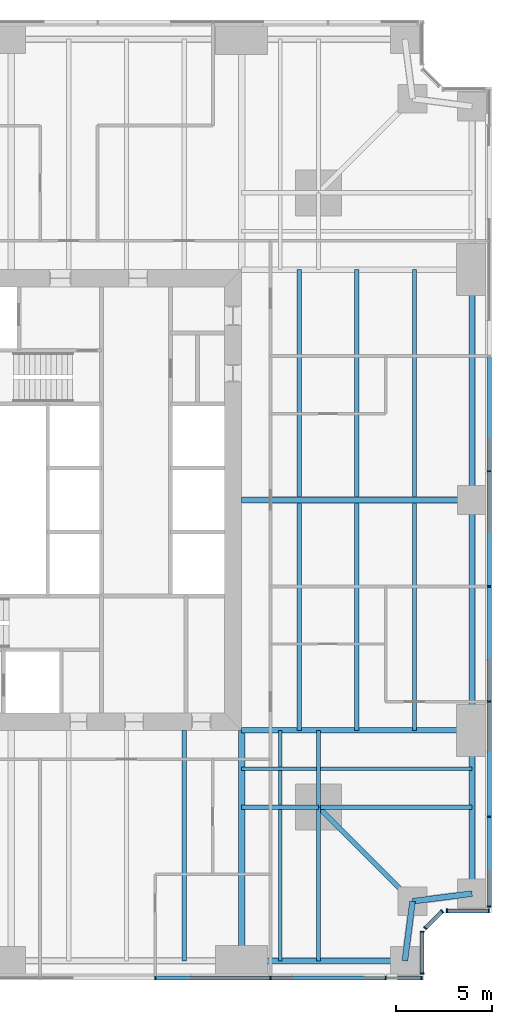
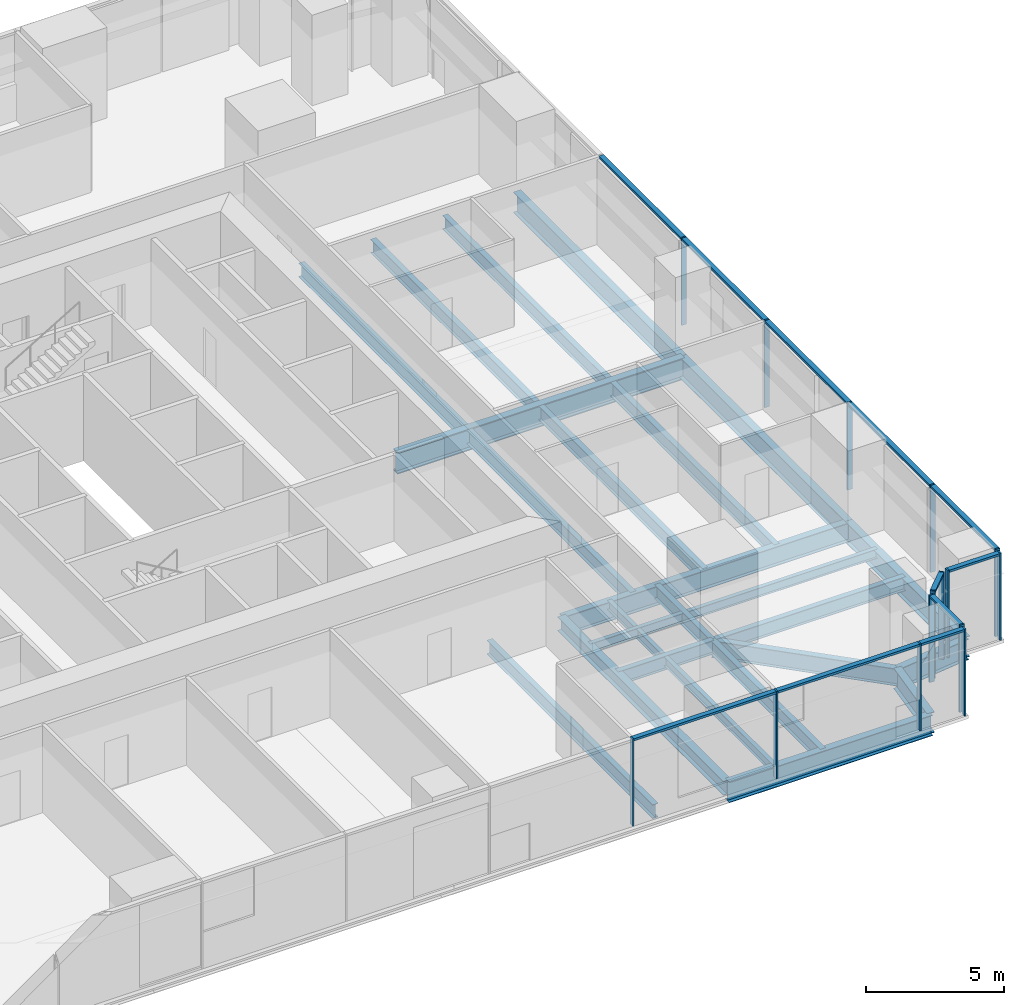
# One storey, part 5 of 14: 26 beams, 26 members, 5 elements without a shape of their own.
"""IFC4 building model written with IfcOpenShell, lengths in metres."""

from ifc_helpers import new_model, si_unit, direction, frame, origin, origin_2d, place, context, subcontext, project, spatial, rectangle, i_section, extrude, material, material_profile, profile_set, type_object, element, aggregate, save


model = new_model("IFC4")

# Units and contexts
model_context = context("Model", 3, precision=1e-05, world=origin(), true_north=direction((0.0, 1.0)))
body_context = subcontext(model_context, "Body", "Model", "MODEL_VIEW")
ifc_project = project(units=[si_unit("LENGTHUNIT", "METRE"), si_unit("AREAUNIT", "SQUARE_METRE"), si_unit("VOLUMEUNIT", "CUBIC_METRE"), si_unit("PLANEANGLEUNIT", "RADIAN"), si_unit("MASSUNIT", "GRAM", prefix="KILO")], contexts=[model_context])

# Site, building, storey
site_placement = place(None, origin())
site = spatial("IfcSite", under=ifc_project, at=site_placement, CompositionType="ELEMENT")
building_placement = place(site_placement, origin())
building = spatial("IfcBuilding", under=site, at=building_placement, Name="Fenwick Lantern Interchange", CompositionType="ELEMENT")
storey_placement = place(building_placement, frame((0.0, 0.0, 59.0)))
storey = spatial("IfcBuildingStorey", under=building, at=storey_placement, Name="L13", CompositionType="ELEMENT", Elevation=59.0)

# Beams
ifc_material_1 = material(Name="Steel ASTM A992 Grade 50", Category="steel")
ifc_material_profile_1 = material_profile(ifc_material_1, i_section(OverallWidth=0.3046875, OverallDepth=0.911865234375, WebThickness=0.015869140625, FlangeThickness=0.02392578125, at=origin_2d()), Name="W36X150")
ifc_profile_set_1 = profile_set([ifc_material_profile_1], Name="Steel ASTM A992 Grade 50")
beam_type_1 = type_object("IfcBeamType", Name="EDGE BEAM W36X150", PredefinedType="SPANDREL", material=ifc_profile_set_1)
beam_1_placement = place(storey_placement, frame((37.0, 1.0, -0.60595703125), z_axis=(1.0, 0.0, 0.0), x_axis=(0.0, 1.0, 0.0)))
element("IfcBeam", 1, at=beam_1_placement, inside=storey, type_object=beam_type_1, Name="L13/FR/S/EB4", PredefinedType="SPANDREL", context=body_context, shape_type="SweptSolid", body=[
    extrude(i_section(OverallWidth=0.3046875, OverallDepth=0.911865234375, WebThickness=0.015869140625, FlangeThickness=0.02392578125, at=origin_2d()), origin(), (0.0, 0.0, 1.0), 8.5),
])
for number, where, z_axis, x_axis, name in (
    (2, (45.5, 1.0, -0.60595703125), (0.127936641807, 0.991782342897, 0.0), (-0.991782342897, 0.127936641807, 0.0), "L13/FR/S/EBR1"),
    (3, (45.89990234375, 4.10009765625, -0.60595703125), (0.991782342897, 0.127936641807, 0.0), (-0.127936641807, 0.991782342897, 0.0), "L13/FR/S/EBR2"),
):
    element("IfcBeam", number, at=place(storey_placement, frame(where, z_axis=z_axis, x_axis=x_axis)), inside=storey, type_object=beam_type_1, Name=name, PredefinedType="SPANDREL", context=body_context, shape_type="SweptSolid", body=[
        extrude(i_section(OverallWidth=0.3046875, OverallDepth=0.911865234375, WebThickness=0.015869140625, FlangeThickness=0.02392578125, at=origin_2d()), origin(), (0.0, 0.0, 1.0), 3.125732421875),
    ])
beam_2_placement = place(storey_placement, frame((49.0, 4.5, -0.60595703125), z_axis=(0.0, 1.0, 0.0), x_axis=(-1.0, 0.0, 0.0)))
element("IfcBeam", 4, at=beam_2_placement, inside=storey, type_object=beam_type_1, Name="L13/FR/E/EB1", PredefinedType="SPANDREL", context=body_context, shape_type="SweptSolid", body=[
    extrude(i_section(OverallWidth=0.3046875, OverallDepth=0.911865234375, WebThickness=0.015869140625, FlangeThickness=0.02392578125, at=origin_2d()), origin(), (0.0, 0.0, 1.0), 8.5),
])
for number, where, z_axis, x_axis, name in (
    (5, (49.0, 13.0, -0.60595703125), (0.0, 1.0, 0.0), (-1.0, 0.0, 0.0), "L13/FR/E/EB2"),
    (6, (49.0, 25.0, -0.60595703125), (0.0, 1.0, 0.0), (-1.0, 0.0, 0.0), "L13/FR/E/EB3"),
):
    element("IfcBeam", number, at=place(storey_placement, frame(where, z_axis=z_axis, x_axis=x_axis)), inside=storey, type_object=beam_type_1, Name=name, PredefinedType="SPANDREL", context=body_context, shape_type="SweptSolid", body=[
        extrude(i_section(OverallWidth=0.3046875, OverallDepth=0.911865234375, WebThickness=0.015869140625, FlangeThickness=0.02392578125, at=origin_2d()), origin(), (0.0, 0.0, 1.0), 12.0),
    ])
ifc_material_profile_2 = material_profile(ifc_material_1, i_section(OverallWidth=0.22900390625, OverallDepth=0.612060546875, WebThickness=0.011962890625, FlangeThickness=0.01953125, at=origin_2d()), Name="W24X84")
ifc_profile_set_2 = profile_set([ifc_material_profile_2], Name="Steel ASTM A992 Grade 50")
beam_type_2 = type_object("IfcBeamType", Name="FLOOR BEAM W24X84", PredefinedType="BEAM", material=ifc_profile_set_2)
beam_3_placement = place(storey_placement, frame((34.0, 1.0, -0.4560546875), z_axis=(0.0, 1.0, 0.0), x_axis=(-1.0, 0.0, 0.0)))
element("IfcBeam", 7, at=beam_3_placement, inside=storey, type_object=beam_type_2, Name="L13/FR/S/R08", PredefinedType="BEAM", context=body_context, shape_type="SweptSolid", body=[
    extrude(i_section(OverallWidth=0.22900390625, OverallDepth=0.612060546875, WebThickness=0.011962890625, FlangeThickness=0.01953125, at=origin_2d()), origin(), (0.0, 0.0, 1.0), 12.0),
])
for number, where, z_axis, x_axis, name in (
    (8, (46.0, 13.0, -0.4560546875), (0.0, 1.0, 0.0), (-1.0, 0.0, 0.0), "L13/FR/E/B01"),
    (9, (43.0, 13.0, -0.4560546875), (0.0, 1.0, 0.0), (-1.0, 0.0, 0.0), "L13/FR/E/B02"),
    (10, (40.0, 13.0, -0.4560546875), (0.0, 1.0, 0.0), (-1.0, 0.0, 0.0), "L13/FR/E/B03"),
    (11, (46.0, 25.155029296875, -0.4560546875), (0.0, 1.0, 0.0), (-1.0, 0.0, 0.0), "L13/FR/E/B04"),
    (12, (43.0, 25.155029296875, -0.4560546875), (0.0, 1.0, 0.0), (-1.0, 0.0, 0.0), "L13/FR/E/B05"),
    (13, (40.0, 25.155029296875, -0.4560546875), (0.0, 1.0, 0.0), (-1.0, 0.0, 0.0), "L13/FR/E/B06"),
):
    element("IfcBeam", number, at=place(storey_placement, frame(where, z_axis=z_axis, x_axis=x_axis)), inside=storey, type_object=beam_type_2, Name=name, PredefinedType="BEAM", context=body_context, shape_type="SweptSolid", body=[
        extrude(i_section(OverallWidth=0.22900390625, OverallDepth=0.612060546875, WebThickness=0.011962890625, FlangeThickness=0.01953125, at=origin_2d()), origin(), (0.0, 0.0, 1.0), 11.844970703125),
    ])
ifc_material_profile_3 = material_profile(ifc_material_1, i_section(OverallWidth=0.177734375, OverallDepth=0.406494140625, WebThickness=0.0078125, FlangeThickness=0.012939453125, at=origin_2d()), Name="W16X40")
ifc_profile_set_3 = profile_set([ifc_material_profile_3], Name="Steel ASTM A992 Grade 50")
beam_type_3 = type_object("IfcBeamType", Name="INFILL BEAM W16X40", PredefinedType="JOIST", material=ifc_profile_set_3)
beam_4_placement = place(storey_placement, frame((49.0, 11.0, -0.353271484375), z_axis=(-1.0, 0.0, 0.0), x_axis=(0.0, -1.0, 0.0)))
element("IfcBeam", 14, at=beam_4_placement, inside=storey, type_object=beam_type_3, Name="L13/FR/E/J1", PredefinedType="JOIST", context=body_context, shape_type="SweptSolid", body=[
    extrude(i_section(OverallWidth=0.177734375, OverallDepth=0.406494140625, WebThickness=0.0078125, FlangeThickness=0.012939453125, at=origin_2d()), origin(), (0.0, 0.0, 1.0), 7.885498046875),
])
beam_5_placement = place(storey_placement, frame((40.885498046875, 11.0, -0.353271484375), z_axis=(-1.0, 0.0, 0.0), x_axis=(0.0, -1.0, 0.0)))
element("IfcBeam", 15, at=beam_5_placement, inside=storey, type_object=beam_type_3, Name="L13/FR/E/J2", PredefinedType="JOIST", context=body_context, shape_type="SweptSolid", body=[
    extrude(i_section(OverallWidth=0.177734375, OverallDepth=0.406494140625, WebThickness=0.0078125, FlangeThickness=0.012939453125, at=origin_2d()), origin(), (0.0, 0.0, 1.0), 3.885498046875),
])
beam_6_placement = place(storey_placement, frame((39.0, 1.0, -0.353271484375), z_axis=(0.0, 1.0, 0.0), x_axis=(-1.0, 0.0, 0.0)))
element("IfcBeam", 16, at=beam_6_placement, inside=storey, type_object=beam_type_3, Name="L13/FR/E/J3", PredefinedType="JOIST", context=body_context, shape_type="SweptSolid", body=[
    extrude(i_section(OverallWidth=0.177734375, OverallDepth=0.406494140625, WebThickness=0.0078125, FlangeThickness=0.012939453125, at=origin_2d()), origin(), (0.0, 0.0, 1.0), 7.885498046875),
])
beam_7_placement = place(storey_placement, frame((39.0, 9.114501953125, -0.353271484375), z_axis=(0.0, 1.0, 0.0), x_axis=(-1.0, 0.0, 0.0)))
element("IfcBeam", 17, at=beam_7_placement, inside=storey, type_object=beam_type_3, Name="L13/FR/E/J4", PredefinedType="JOIST", context=body_context, shape_type="SweptSolid", body=[
    extrude(i_section(OverallWidth=0.177734375, OverallDepth=0.406494140625, WebThickness=0.0078125, FlangeThickness=0.012939453125, at=origin_2d()), origin(), (0.0, 0.0, 1.0), 1.796630859375),
])
beam_8_placement = place(storey_placement, frame((39.0, 11.0888671875, -0.353271484375), z_axis=(0.0, 1.0, 0.0), x_axis=(-1.0, 0.0, 0.0)))
element("IfcBeam", 18, at=beam_8_placement, inside=storey, type_object=beam_type_3, Name="L13/FR/E/J5", PredefinedType="JOIST", context=body_context, shape_type="SweptSolid", body=[
    extrude(i_section(OverallWidth=0.177734375, OverallDepth=0.406494140625, WebThickness=0.0078125, FlangeThickness=0.012939453125, at=origin_2d()), origin(), (0.0, 0.0, 1.0), 1.9111328125),
])
ifc_material_profile_4 = material_profile(ifc_material_1, i_section(OverallWidth=0.22900390625, OverallDepth=0.612060546875, WebThickness=0.011962890625, FlangeThickness=0.01953125, at=origin_2d()), Name="W24X84")
ifc_profile_set_4 = profile_set([ifc_material_profile_4], Name="Steel ASTM A992 Grade 50")
beam_type_4 = type_object("IfcBeamType", Name="MEGA COLUMN BEAM W24X84", PredefinedType="BEAM", material=ifc_profile_set_4)
for number, where, z_axis, x_axis, name in (
    (19, (41.0, 9.0, -0.4560546875), (1.0, 0.0, 0.0), (0.0, 1.0, 0.0), "L13/FR/E/MB1"),
    (20, (41.0, 9.0, -0.4560546875), (0.0, -1.0, 0.0), (1.0, 0.0, 0.0), "L13/FR/E/MB2"),
):
    element("IfcBeam", number, at=place(storey_placement, frame(where, z_axis=z_axis, x_axis=x_axis)), inside=storey, type_object=beam_type_4, Name=name, PredefinedType="BEAM", context=body_context, shape_type="SweptSolid", body=[
        extrude(i_section(OverallWidth=0.22900390625, OverallDepth=0.612060546875, WebThickness=0.011962890625, FlangeThickness=0.01953125, at=origin_2d()), origin(), (0.0, 0.0, 1.0), 8.0),
    ])
for number, where, z_axis, x_axis, name in (
    (21, (41.0, 9.0, -0.4560546875), (0.0, 1.0, 0.0), (-1.0, 0.0, 0.0), "L13/FR/E/MB3"),
    (22, (41.0, 9.0, -0.4560546875), (-1.0, 0.0, 0.0), (0.0, -1.0, 0.0), "L13/FR/E/MB4"),
):
    element("IfcBeam", number, at=place(storey_placement, frame(where, z_axis=z_axis, x_axis=x_axis)), inside=storey, type_object=beam_type_4, Name=name, PredefinedType="BEAM", context=body_context, shape_type="SweptSolid", body=[
        extrude(i_section(OverallWidth=0.22900390625, OverallDepth=0.612060546875, WebThickness=0.011962890625, FlangeThickness=0.01953125, at=origin_2d()), origin(), (0.0, 0.0, 1.0), 4.0),
    ])
ifc_material_profile_5 = material_profile(ifc_material_1, i_section(OverallWidth=0.32763671875, OverallDepth=0.622314453125, WebThickness=0.015380859375, FlangeThickness=0.0244140625, at=origin_2d()), Name="W24X131")
ifc_profile_set_5 = profile_set([ifc_material_profile_5], Name="Steel ASTM A992 Grade 50")
beam_type_5 = type_object("IfcBeamType", Name="MOMENT-CONNECTED GIRDER W24X131", PredefinedType="BEAM", material=ifc_profile_set_5)
beam_9_placement = place(storey_placement, frame((37.0, 1.0, -0.461181640625), z_axis=(0.0, 1.0, 0.0), x_axis=(-1.0, 0.0, 0.0)))
element("IfcBeam", 23, at=beam_9_placement, inside=storey, type_object=beam_type_5, Name="L13/FR/S/R09", PredefinedType="BEAM", context=body_context, shape_type="SweptSolid", body=[
    extrude(i_section(OverallWidth=0.32763671875, OverallDepth=0.622314453125, WebThickness=0.015380859375, FlangeThickness=0.0244140625, at=origin_2d()), origin(), (0.0, 0.0, 1.0), 12.0),
])
ifc_material_profile_6 = material_profile(ifc_material_1, i_section(OverallWidth=0.2919921875, OverallDepth=0.845703125, WebThickness=0.015380859375, FlangeThickness=0.0244140625, at=origin_2d()), Name="W33X141")
ifc_profile_set_6 = profile_set([ifc_material_profile_6], Name="Steel ASTM A992 Grade 50")
beam_type_6 = type_object("IfcBeamType", Name="MOMENT-CONNECTED GIRDER W33X141", PredefinedType="BEAM", material=ifc_profile_set_6)
beam_10_placement = place(storey_placement, frame((49.0, 13.0, -0.572998046875), z_axis=(-1.0, 0.0, 0.0), x_axis=(0.0, -1.0, 0.0)))
element("IfcBeam", 24, at=beam_10_placement, inside=storey, type_object=beam_type_6, Name="L13/FR/E/R01", PredefinedType="BEAM", context=body_context, shape_type="SweptSolid", body=[
    extrude(i_section(OverallWidth=0.2919921875, OverallDepth=0.845703125, WebThickness=0.015380859375, FlangeThickness=0.0244140625, at=origin_2d()), origin(), (0.0, 0.0, 1.0), 12.0),
])
ifc_material_profile_7 = material_profile(ifc_material_1, i_section(OverallWidth=0.309814453125, OverallDepth=0.949951171875, WebThickness=0.0244140625, FlangeThickness=0.0439453125, at=origin_2d()), Name="W36X256")
ifc_profile_set_7 = profile_set([ifc_material_profile_7], Name="Steel ASTM A992 Grade 50")
beam_type_7 = type_object("IfcBeamType", Name="MOMENT-CONNECTED GIRDER W36X256", PredefinedType="BEAM", material=ifc_profile_set_7)
beam_11_placement = place(storey_placement, frame((49.0, 25.0, -0.625), z_axis=(-1.0, 0.0, 0.0), x_axis=(0.0, -1.0, 0.0)))
element("IfcBeam", 25, at=beam_11_placement, inside=storey, type_object=beam_type_7, Name="L13/FR/E/R02", PredefinedType="BEAM", context=body_context, shape_type="SweptSolid", body=[
    extrude(i_section(OverallWidth=0.309814453125, OverallDepth=0.949951171875, WebThickness=0.0244140625, FlangeThickness=0.0439453125, at=origin_2d()), origin(), (0.0, 0.0, 1.0), 12.0),
])
ifc_material_profile_8 = material_profile(ifc_material_1, i_section(OverallWidth=0.2666015625, OverallDepth=0.7568359375, WebThickness=0.013916015625, FlangeThickness=0.019287109375, at=origin_2d()), Name="W30X108")
ifc_profile_set_8 = profile_set([ifc_material_profile_8], Name="Steel ASTM A992 Grade 50")
beam_type_8 = type_object("IfcBeamType", Name="NOTCH BEAM W30X108", PredefinedType="BEAM", material=ifc_profile_set_8)
beam_12_placement = place(storey_placement, frame((41.0, 9.0, -0.528564453125), z_axis=(0.707106781187, -0.707106781187, 0.0), x_axis=(0.707106781187, 0.707106781187, 0.0)))
element("IfcBeam", 26, at=beam_12_placement, inside=storey, type_object=beam_type_8, Name="L13/FR/E/TG", PredefinedType="BEAM", context=body_context, shape_type="SweptSolid", body=[
    extrude(i_section(OverallWidth=0.2666015625, OverallDepth=0.7568359375, WebThickness=0.013916015625, FlangeThickness=0.019287109375, at=origin_2d()), origin(), (0.0, 0.0, 1.0), 6.929443359375),
])

# Curtain wall, members
ifc_material_2 = material(Name="Aluminium curtain wall frame", Category="aluminium")
curtain_wall_type = type_object("IfcCurtainWallType", Name="OFFICE CURTAIN WALL", PredefinedType="USERDEFINED", material=ifc_material_2)
curtain_wall_1_placement = place(storey_placement, origin())
curtain_wall_1 = element("IfcCurtainWall", 27, at=curtain_wall_1_placement, inside=storey, type_object=curtain_wall_type, Name="Office curtain wall 01", ObjectType="OFFICE CURTAIN WALL", PredefinedType="USERDEFINED")
ifc_material_3 = material(Name="Aluminium extrusion", Category="aluminium")
ifc_material_profile_9 = material_profile(ifc_material_3, rectangle(XDim=0.199951171875, YDim=0.06494140625, at=origin_2d()), Name="OFFICE CURTAIN WALL MULLION 65 X 200")
ifc_profile_set_9 = profile_set([ifc_material_profile_9], Name="Aluminium extrusion")
member_type_1 = type_object("IfcMemberType", Name="OFFICE CURTAIN WALL MULLION 65 X 200", PredefinedType="MULLION", material=ifc_profile_set_9)
member_1_placement = place(storey_placement, frame((32.5, 0.10009765625, 0.0), z_axis=(0.0, 0.0, 1.0), x_axis=(0.0, 1.0, 0.0)))
member_1 = element("IfcMember", 28, at=member_1_placement, type_object=member_type_1, Name="L13/CW/01/M05", PredefinedType="MULLION", context=body_context, shape_type="SweptSolid", body=[
    extrude(rectangle(XDim=0.199951171875, YDim=0.06494140625, at=origin_2d()), origin(), (0.0, 0.0, 1.0), 3.85009765625),
])
member_2_placement = place(storey_placement, frame((38.5, 0.10009765625, 0.0), z_axis=(0.0, 0.0, 1.0), x_axis=(0.0, 1.0, 0.0)))
member_2 = element("IfcMember", 29, at=member_2_placement, type_object=member_type_1, Name="L13/CW/01/M06", PredefinedType="MULLION", context=body_context, shape_type="SweptSolid", body=[
    extrude(rectangle(XDim=0.199951171875, YDim=0.06494140625, at=origin_2d()), origin(), (0.0, 0.0, 1.0), 3.85009765625),
])
member_3_placement = place(storey_placement, frame((44.5, 0.10009765625, 0.0), z_axis=(0.0, 0.0, 1.0), x_axis=(0.0, 1.0, 0.0)))
member_3 = element("IfcMember", 30, at=member_3_placement, type_object=member_type_1, Name="L13/CW/01/M07", PredefinedType="MULLION", context=body_context, shape_type="SweptSolid", body=[
    extrude(rectangle(XDim=0.199951171875, YDim=0.06494140625, at=origin_2d()), origin(), (0.0, 0.0, 1.0), 3.85009765625),
])
member_4_placement = place(storey_placement, frame((46.367431640625, 0.10009765625, 0.0), z_axis=(0.0, 0.0, 1.0), x_axis=(0.0, 1.0, 0.0)))
member_4 = element("IfcMember", 31, at=member_4_placement, type_object=member_type_1, Name="L13/CW/01/M08", PredefinedType="MULLION", context=body_context, shape_type="SweptSolid", body=[
    extrude(rectangle(XDim=0.199951171875, YDim=0.06494140625, at=origin_2d()), origin(), (0.0, 0.0, 1.0), 3.85009765625),
])

curtain_wall_2_placement = place(storey_placement, origin())
curtain_wall_2 = element("IfcCurtainWall", 32, at=curtain_wall_2_placement, inside=storey, type_object=curtain_wall_type, Name="Office curtain wall 02", ObjectType="OFFICE CURTAIN WALL", PredefinedType="USERDEFINED")
member_5_placement = place(storey_placement, frame((46.39990234375, 0.33251953125, 0.0), z_axis=(0.0, 0.0, 1.0), x_axis=(-1.0, 0.0, 0.0)))
member_5 = element("IfcMember", 33, at=member_5_placement, type_object=member_type_1, Name="L13/CW/02/M00", PredefinedType="MULLION", context=body_context, shape_type="SweptSolid", body=[
    extrude(rectangle(XDim=0.199951171875, YDim=0.06494140625, at=origin_2d()), origin(), (0.0, 0.0, 1.0), 3.85009765625),
])
member_6_placement = place(storey_placement, frame((46.39990234375, 2.509033203125, 0.0), z_axis=(0.0, 0.0, 1.0), x_axis=(-1.0, 0.0, 0.0)))
member_6 = element("IfcMember", 34, at=member_6_placement, type_object=member_type_1, Name="L13/CW/02/M01", PredefinedType="MULLION", context=body_context, shape_type="SweptSolid", body=[
    extrude(rectangle(XDim=0.199951171875, YDim=0.06494140625, at=origin_2d()), origin(), (0.0, 0.0, 1.0), 3.85009765625),
])

curtain_wall_3_placement = place(storey_placement, origin())
curtain_wall_3 = element("IfcCurtainWall", 35, at=curtain_wall_3_placement, inside=storey, type_object=curtain_wall_type, Name="Office curtain wall 03", ObjectType="OFFICE CURTAIN WALL", PredefinedType="USERDEFINED")
member_7_placement = place(storey_placement, frame((46.564453125, 2.705810546875, 0.0), z_axis=(0.0, 0.0, 1.0), x_axis=(-0.707106781187, 0.707106781187, 0.0)))
member_7 = element("IfcMember", 36, at=member_7_placement, type_object=member_type_1, Name="L13/CW/03/M00", PredefinedType="MULLION", context=body_context, shape_type="SweptSolid", body=[
    extrude(rectangle(XDim=0.199951171875, YDim=0.06494140625, at=origin_2d()), origin(), (0.0, 0.0, 1.0), 3.85009765625),
])
member_8_placement = place(storey_placement, frame((47.435546875, 3.576904296875, 0.0), z_axis=(0.0, 0.0, 1.0), x_axis=(-0.707106781187, 0.707106781187, 0.0)))
member_8 = element("IfcMember", 37, at=member_8_placement, type_object=member_type_1, Name="L13/CW/03/M01", PredefinedType="MULLION", context=body_context, shape_type="SweptSolid", body=[
    extrude(rectangle(XDim=0.199951171875, YDim=0.06494140625, at=origin_2d()), origin(), (0.0, 0.0, 1.0), 3.85009765625),
])

curtain_wall_4_placement = place(storey_placement, origin())
curtain_wall_4 = element("IfcCurtainWall", 38, at=curtain_wall_4_placement, inside=storey, type_object=curtain_wall_type, Name="Office curtain wall 04", ObjectType="OFFICE CURTAIN WALL", PredefinedType="USERDEFINED")
member_9_placement = place(storey_placement, frame((47.691162109375, 3.60009765625, 0.0), z_axis=(0.0, 0.0, 1.0), x_axis=(0.0, 1.0, 0.0)))
member_9 = element("IfcMember", 39, at=member_9_placement, type_object=member_type_1, Name="L13/CW/04/M00", PredefinedType="MULLION", context=body_context, shape_type="SweptSolid", body=[
    extrude(rectangle(XDim=0.199951171875, YDim=0.06494140625, at=origin_2d()), origin(), (0.0, 0.0, 1.0), 3.85009765625),
])
member_10_placement = place(storey_placement, frame((49.867431640625, 3.60009765625, 0.0), z_axis=(0.0, 0.0, 1.0), x_axis=(0.0, 1.0, 0.0)))
member_10 = element("IfcMember", 40, at=member_10_placement, type_object=member_type_1, Name="L13/CW/04/M01", PredefinedType="MULLION", context=body_context, shape_type="SweptSolid", body=[
    extrude(rectangle(XDim=0.199951171875, YDim=0.06494140625, at=origin_2d()), origin(), (0.0, 0.0, 1.0), 3.85009765625),
])

curtain_wall_5_placement = place(storey_placement, origin())
curtain_wall_5 = element("IfcCurtainWall", 41, at=curtain_wall_5_placement, inside=storey, type_object=curtain_wall_type, Name="Office curtain wall 05", ObjectType="OFFICE CURTAIN WALL", PredefinedType="USERDEFINED")
member_11_placement = place(storey_placement, frame((49.89990234375, 3.83251953125, 0.0), z_axis=(0.0, 0.0, 1.0), x_axis=(-1.0, 0.0, 0.0)))
member_11 = element("IfcMember", 42, at=member_11_placement, type_object=member_type_1, Name="L13/CW/05/M00", PredefinedType="MULLION", context=body_context, shape_type="SweptSolid", body=[
    extrude(rectangle(XDim=0.199951171875, YDim=0.06494140625, at=origin_2d()), origin(), (0.0, 0.0, 1.0), 3.85009765625),
])
member_12_placement = place(storey_placement, frame((49.89990234375, 8.5, 0.0), z_axis=(0.0, 0.0, 1.0), x_axis=(-1.0, 0.0, 0.0)))
member_12 = element("IfcMember", 43, at=member_12_placement, type_object=member_type_1, Name="L13/CW/05/M01", PredefinedType="MULLION", context=body_context, shape_type="SweptSolid", body=[
    extrude(rectangle(XDim=0.199951171875, YDim=0.06494140625, at=origin_2d()), origin(), (0.0, 0.0, 1.0), 3.85009765625),
])
member_13_placement = place(storey_placement, frame((49.89990234375, 14.5, 0.0), z_axis=(0.0, 0.0, 1.0), x_axis=(-1.0, 0.0, 0.0)))
member_13 = element("IfcMember", 44, at=member_13_placement, type_object=member_type_1, Name="L13/CW/05/M02", PredefinedType="MULLION", context=body_context, shape_type="SweptSolid", body=[
    extrude(rectangle(XDim=0.199951171875, YDim=0.06494140625, at=origin_2d()), origin(), (0.0, 0.0, 1.0), 3.85009765625),
])
member_14_placement = place(storey_placement, frame((49.89990234375, 20.5, 0.0), z_axis=(0.0, 0.0, 1.0), x_axis=(-1.0, 0.0, 0.0)))
member_14 = element("IfcMember", 45, at=member_14_placement, type_object=member_type_1, Name="L13/CW/05/M03", PredefinedType="MULLION", context=body_context, shape_type="SweptSolid", body=[
    extrude(rectangle(XDim=0.199951171875, YDim=0.06494140625, at=origin_2d()), origin(), (0.0, 0.0, 1.0), 3.85009765625),
])
member_15_placement = place(storey_placement, frame((49.89990234375, 26.5, 0.0), z_axis=(0.0, 0.0, 1.0), x_axis=(-1.0, 0.0, 0.0)))
member_15 = element("IfcMember", 46, at=member_15_placement, type_object=member_type_1, Name="L13/CW/05/M04", PredefinedType="MULLION", context=body_context, shape_type="SweptSolid", body=[
    extrude(rectangle(XDim=0.199951171875, YDim=0.06494140625, at=origin_2d()), origin(), (0.0, 0.0, 1.0), 3.85009765625),
])

# Member
ifc_material_profile_10 = material_profile(ifc_material_3, rectangle(XDim=0.199951171875, YDim=0.10009765625, at=origin_2d()), Name="OFFICE CURTAIN WALL TRANSOM 100 X 200")
ifc_profile_set_10 = profile_set([ifc_material_profile_10], Name="Aluminium extrusion")
member_type_2 = type_object("IfcMemberType", Name="OFFICE CURTAIN WALL TRANSOM 100 X 200", PredefinedType="MULLION", material=ifc_profile_set_10)
member_16_placement = place(storey_placement, frame((32.532470703125, 0.10009765625, 3.800048828125), z_axis=(1.0, 0.0, 0.0), x_axis=(0.0, 1.0, 0.0)))
member_16 = element("IfcMember", 47, at=member_16_placement, type_object=member_type_2, Name="L13/CW/01/T05", PredefinedType="MULLION", context=body_context, shape_type="SweptSolid", body=[
    extrude(rectangle(XDim=0.199951171875, YDim=0.10009765625, at=origin_2d()), origin(), (0.0, 0.0, 1.0), 5.93505859375),
])

member_17_placement = place(storey_placement, frame((38.532470703125, 0.10009765625, 3.800048828125), z_axis=(1.0, 0.0, 0.0), x_axis=(0.0, 1.0, 0.0)))
member_17 = element("IfcMember", 48, at=member_17_placement, type_object=member_type_2, Name="L13/CW/01/T06", PredefinedType="MULLION", context=body_context, shape_type="SweptSolid", body=[
    extrude(rectangle(XDim=0.199951171875, YDim=0.10009765625, at=origin_2d()), origin(), (0.0, 0.0, 1.0), 5.93505859375),
])

member_18_placement = place(storey_placement, frame((44.532470703125, 0.10009765625, 3.800048828125), z_axis=(1.0, 0.0, 0.0), x_axis=(0.0, 1.0, 0.0)))
member_18 = element("IfcMember", 49, at=member_18_placement, type_object=member_type_2, Name="L13/CW/01/T07", PredefinedType="MULLION", context=body_context, shape_type="SweptSolid", body=[
    extrude(rectangle(XDim=0.199951171875, YDim=0.10009765625, at=origin_2d()), origin(), (0.0, 0.0, 1.0), 1.802490234375),
])

aggregate(curtain_wall_1, [member_1, member_2, member_3, member_4, member_16, member_17, member_18])

member_19_placement = place(storey_placement, frame((46.39990234375, 0.364990234375, 3.800048828125), z_axis=(0.0, 1.0, 0.0), x_axis=(-1.0, 0.0, 0.0)))
member_19 = element("IfcMember", 50, at=member_19_placement, type_object=member_type_2, Name="L13/CW/02/T00", PredefinedType="MULLION", context=body_context, shape_type="SweptSolid", body=[
    extrude(rectangle(XDim=0.199951171875, YDim=0.10009765625, at=origin_2d()), origin(), (0.0, 0.0, 1.0), 2.111328125),
])

aggregate(curtain_wall_2, [member_5, member_6, member_19])

member_20_placement = place(storey_placement, frame((46.58740234375, 2.728759765625, 3.800048828125), z_axis=(0.707106781187, 0.707106781187, 0.0), x_axis=(-0.707106781187, 0.707106781187, 0.0)))
member_20 = element("IfcMember", 51, at=member_20_placement, type_object=member_type_2, Name="L13/CW/03/T00", PredefinedType="MULLION", context=body_context, shape_type="SweptSolid", body=[
    extrude(rectangle(XDim=0.199951171875, YDim=0.10009765625, at=origin_2d()), origin(), (0.0, 0.0, 1.0), 1.1669921875),
])

aggregate(curtain_wall_3, [member_7, member_8, member_20])

member_21_placement = place(storey_placement, frame((47.7236328125, 3.60009765625, 3.800048828125), z_axis=(1.0, 0.0, 0.0), x_axis=(0.0, 1.0, 0.0)))
member_21 = element("IfcMember", 52, at=member_21_placement, type_object=member_type_2, Name="L13/CW/04/T00", PredefinedType="MULLION", context=body_context, shape_type="SweptSolid", body=[
    extrude(rectangle(XDim=0.199951171875, YDim=0.10009765625, at=origin_2d()), origin(), (0.0, 0.0, 1.0), 2.111328125),
])

aggregate(curtain_wall_4, [member_9, member_10, member_21])

member_22_placement = place(storey_placement, frame((49.89990234375, 3.864990234375, 3.800048828125), z_axis=(0.0, 1.0, 0.0), x_axis=(-1.0, 0.0, 0.0)))
member_22 = element("IfcMember", 53, at=member_22_placement, type_object=member_type_2, Name="L13/CW/05/T00", PredefinedType="MULLION", context=body_context, shape_type="SweptSolid", body=[
    extrude(rectangle(XDim=0.199951171875, YDim=0.10009765625, at=origin_2d()), origin(), (0.0, 0.0, 1.0), 4.6025390625),
])

member_23_placement = place(storey_placement, frame((49.89990234375, 8.532470703125, 3.800048828125), z_axis=(0.0, 1.0, 0.0), x_axis=(-1.0, 0.0, 0.0)))
member_23 = element("IfcMember", 54, at=member_23_placement, type_object=member_type_2, Name="L13/CW/05/T01", PredefinedType="MULLION", context=body_context, shape_type="SweptSolid", body=[
    extrude(rectangle(XDim=0.199951171875, YDim=0.10009765625, at=origin_2d()), origin(), (0.0, 0.0, 1.0), 5.93505859375),
])

member_24_placement = place(storey_placement, frame((49.89990234375, 14.532470703125, 3.800048828125), z_axis=(0.0, 1.0, 0.0), x_axis=(-1.0, 0.0, 0.0)))
member_24 = element("IfcMember", 55, at=member_24_placement, type_object=member_type_2, Name="L13/CW/05/T02", PredefinedType="MULLION", context=body_context, shape_type="SweptSolid", body=[
    extrude(rectangle(XDim=0.199951171875, YDim=0.10009765625, at=origin_2d()), origin(), (0.0, 0.0, 1.0), 5.93505859375),
])

member_25_placement = place(storey_placement, frame((49.89990234375, 20.532470703125, 3.800048828125), z_axis=(0.0, 1.0, 0.0), x_axis=(-1.0, 0.0, 0.0)))
member_25 = element("IfcMember", 56, at=member_25_placement, type_object=member_type_2, Name="L13/CW/05/T03", PredefinedType="MULLION", context=body_context, shape_type="SweptSolid", body=[
    extrude(rectangle(XDim=0.199951171875, YDim=0.10009765625, at=origin_2d()), origin(), (0.0, 0.0, 1.0), 5.93505859375),
])

member_26_placement = place(storey_placement, frame((49.89990234375, 26.532470703125, 3.800048828125), z_axis=(0.0, 1.0, 0.0), x_axis=(-1.0, 0.0, 0.0)))
member_26 = element("IfcMember", 57, at=member_26_placement, type_object=member_type_2, Name="L13/CW/05/T04", PredefinedType="MULLION", context=body_context, shape_type="SweptSolid", body=[
    extrude(rectangle(XDim=0.199951171875, YDim=0.10009765625, at=origin_2d()), origin(), (0.0, 0.0, 1.0), 5.93505859375),
])

aggregate(curtain_wall_5, [member_11, member_12, member_13, member_14, member_15, member_22, member_23, member_24, member_25, member_26])

save(model, "model.ifc")
